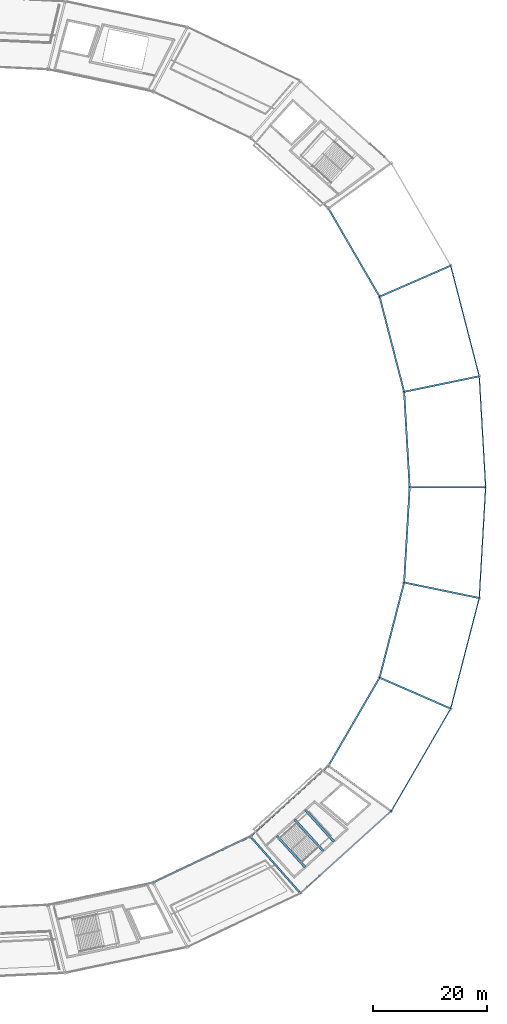
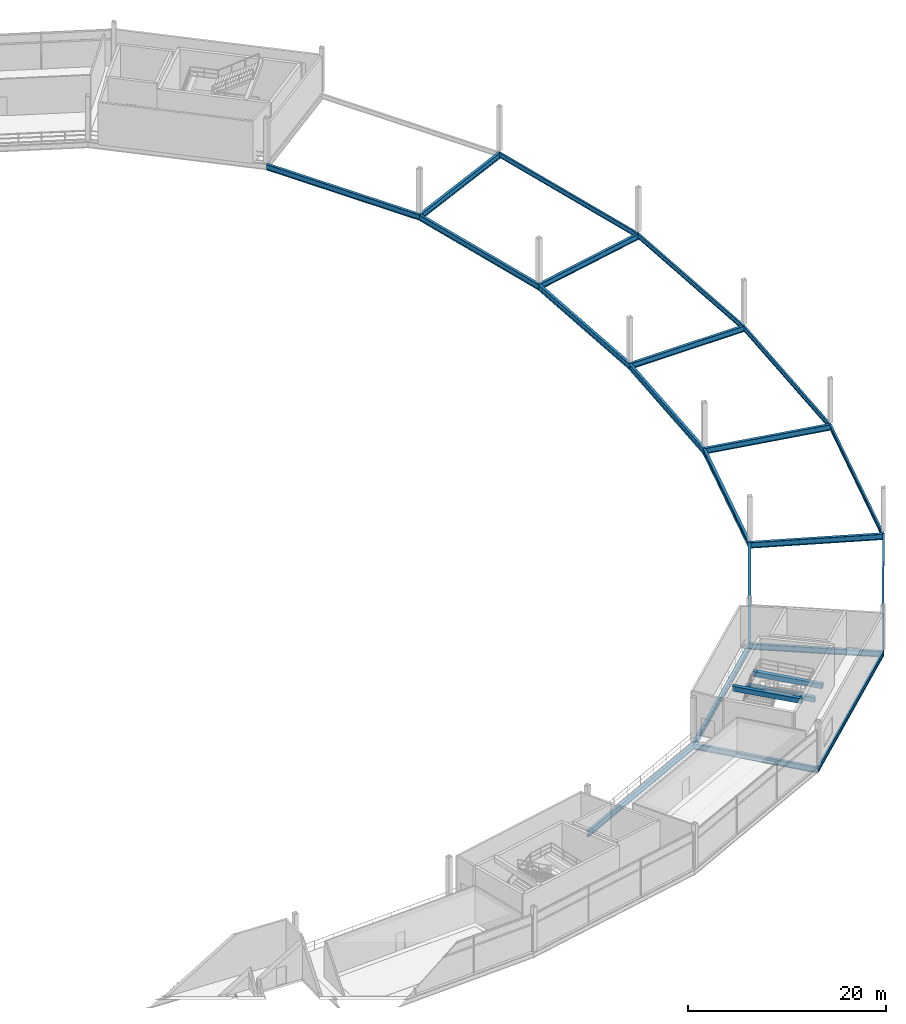
# One storey, part 47 of 103: 24 beams.
"""IFC4 building model written with IfcOpenShell, lengths in metres."""

from ifc_helpers import new_model, si_unit, direction, frame, origin, origin_2d, place, context, subcontext, project, spatial, rectangle, i_section, extrude, material, material_profile, profile_set, type_object, element, save


model = new_model("IFC4")

# Units and contexts
model_context = context("Model", 3, precision=1e-05, world=origin(), true_north=direction((0.0, 1.0)))
body_context = subcontext(model_context, "Body", "Model", "MODEL_VIEW")
ifc_project = project(units=[si_unit("LENGTHUNIT", "METRE"), si_unit("AREAUNIT", "SQUARE_METRE"), si_unit("VOLUMEUNIT", "CUBIC_METRE"), si_unit("PLANEANGLEUNIT", "RADIAN"), si_unit("MASSUNIT", "GRAM", prefix="KILO")], contexts=[model_context])

# Site, building, storey
site_placement = place(None, origin())
site = spatial("IfcSite", under=ifc_project, at=site_placement, CompositionType="ELEMENT")
building_placement = place(site_placement, origin())
building = spatial("IfcBuilding", under=site, at=building_placement, Name="Kazemori Nagisa Stadium", CompositionType="ELEMENT")
storey_placement = place(building_placement, frame((0.0, 0.0, 25.840087890625)))
storey = spatial("IfcBuildingStorey", under=building, at=storey_placement, Name="L05", CompositionType="ELEMENT", Elevation=25.840087890625)

# Beams
ifc_material_1 = material(Name="Steel SN490B", Category="steel")
ifc_material_profile_1 = material_profile(ifc_material_1, i_section(OverallWidth=0.300048828125, OverallDepth=0.699951171875, WebThickness=0.012939453125, FlangeThickness=0.02392578125, FilletRadius=0.01806640625, at=origin_2d()), Name="H-700x300x13x24")
ifc_profile_set_1 = profile_set([ifc_material_profile_1], Name="Steel SN490B")
beam_type_1 = type_object("IfcBeamType", Name="Beam_BG-H700", PredefinedType="BEAM", material=ifc_profile_set_1)
beam_1_placement = place(storey_placement, frame((204.699951171875, 102.0, -0.610107421875), z_axis=(-0.057594854854, 0.998340038611, 0.0), x_axis=(-0.998340038611, -0.057594854854, 0.0)))
element("IfcBeam", 1, at=beam_1_placement, inside=storey, type_object=beam_type_1, Name="Ring girder BG-H700 L05 R2-01", PredefinedType="BEAM", context=body_context, shape_type="SweptSolid", body=[
    extrude(i_section(OverallWidth=0.300048828125, OverallDepth=0.699951171875, WebThickness=0.012939453125, FlangeThickness=0.02392578125, FilletRadius=0.01806640625, at=origin_2d()), origin(), (0.0, 0.0, 1.0), 16.7099609375),
])
beam_2_placement = place(storey_placement, frame((203.737548828125, 118.68212890625, -0.610107421875), z_axis=(-0.249974673676, 0.968252375427, 0.0), x_axis=(-0.968252375427, -0.249974673676, 0.0)))
element("IfcBeam", 2, at=beam_2_placement, inside=storey, type_object=beam_type_1, Name="Ring girder BG-H700 L05 R2-02", PredefinedType="BEAM", context=body_context, shape_type="SweptSolid", body=[
    extrude(i_section(OverallWidth=0.300048828125, OverallDepth=0.699951171875, WebThickness=0.012939453125, FlangeThickness=0.02392578125, FilletRadius=0.01806640625, at=origin_2d()), origin(), (0.0, 0.0, 1.0), 17.188232421875),
])
beam_3_placement = place(storey_placement, frame((199.44091796875, 135.32470703125, -0.610107421875), z_axis=(-0.501606704589, 0.865095783085, 0.0), x_axis=(-0.865095783085, -0.501606704589, 0.0)))
element("IfcBeam", 3, at=beam_3_placement, inside=storey, type_object=beam_type_1, Name="Ring girder BG-H700 L05 R2-03", PredefinedType="BEAM", context=body_context, shape_type="SweptSolid", body=[
    extrude(i_section(OverallWidth=0.300048828125, OverallDepth=0.699951171875, WebThickness=0.012939453125, FlangeThickness=0.02392578125, FilletRadius=0.01806640625, at=origin_2d()), origin(), (0.0, 0.0, 1.0), 17.8125),
])
beam_4_placement = place(storey_placement, frame((159.81201171875, 32.80078125, -0.610107421875), z_axis=(0.90321938295, 0.42917915404, 0.0), x_axis=(-0.42917915404, 0.90321938295, 0.0)))
element("IfcBeam", 4, at=beam_4_placement, inside=storey, type_object=beam_type_1, Name="Ring girder BG-H700 L05 R2-24", PredefinedType="BEAM", context=body_context, shape_type="SweptSolid", body=[
    extrude(i_section(OverallWidth=0.300048828125, OverallDepth=0.699951171875, WebThickness=0.012939453125, FlangeThickness=0.02392578125, FilletRadius=0.01806640625, at=origin_2d()), origin(), (0.0, 0.0, 1.0), 18.84619140625),
])
beam_5_placement = place(storey_placement, frame((176.834228515625, 40.88916015625, -0.610107421875), z_axis=(0.741349142139, 0.671119549298, 0.0), x_axis=(-0.671119549298, 0.741349142139, 0.0)))
element("IfcBeam", 5, at=beam_5_placement, inside=storey, type_object=beam_type_1, Name="Ring girder BG-H700 L05 R2-25", PredefinedType="BEAM", context=body_context, shape_type="SweptSolid", body=[
    extrude(i_section(OverallWidth=0.300048828125, OverallDepth=0.699951171875, WebThickness=0.012939453125, FlangeThickness=0.02392578125, FilletRadius=0.01806640625, at=origin_2d()), origin(), (0.0, 0.0, 1.0), 18.44189453125),
])
beam_6_placement = place(storey_placement, frame((190.506103515625, 53.265869140625, -0.610107421875), z_axis=(0.501606704589, 0.865095783085, 0.0), x_axis=(-0.865095783085, 0.501606704589, 0.0)))
element("IfcBeam", 6, at=beam_6_placement, inside=storey, type_object=beam_type_1, Name="Ring girder BG-H700 L05 R2-26", PredefinedType="BEAM", context=body_context, shape_type="SweptSolid", body=[
    extrude(i_section(OverallWidth=0.300048828125, OverallDepth=0.699951171875, WebThickness=0.012939453125, FlangeThickness=0.02392578125, FilletRadius=0.01806640625, at=origin_2d()), origin(), (0.0, 0.0, 1.0), 17.8125),
])
beam_7_placement = place(storey_placement, frame((199.44091796875, 68.67529296875, -0.610107421875), z_axis=(0.249974673676, 0.968252375427, 0.0), x_axis=(-0.968252375427, 0.249974673676, 0.0)))
element("IfcBeam", 7, at=beam_7_placement, inside=storey, type_object=beam_type_1, Name="Ring girder BG-H700 L05 R2-27", PredefinedType="BEAM", context=body_context, shape_type="SweptSolid", body=[
    extrude(i_section(OverallWidth=0.300048828125, OverallDepth=0.699951171875, WebThickness=0.012939453125, FlangeThickness=0.02392578125, FilletRadius=0.01806640625, at=origin_2d()), origin(), (0.0, 0.0, 1.0), 17.188232421875),
])
beam_8_placement = place(storey_placement, frame((203.737548828125, 85.31787109375, -0.610107421875), z_axis=(0.057594854854, 0.998340038611, 0.0), x_axis=(-0.998340038611, 0.057594854854, 0.0)))
element("IfcBeam", 8, at=beam_8_placement, inside=storey, type_object=beam_type_1, Name="Ring girder BG-H700 L05 R2-28", PredefinedType="BEAM", context=body_context, shape_type="SweptSolid", body=[
    extrude(i_section(OverallWidth=0.300048828125, OverallDepth=0.699951171875, WebThickness=0.012939453125, FlangeThickness=0.02392578125, FilletRadius=0.01806640625, at=origin_2d()), origin(), (0.0, 0.0, 1.0), 16.7099609375),
])
beam_9_placement = place(storey_placement, frame((204.699951171875, 102.0, -0.610107421875), z_axis=(1.0, 0.0, 0.0), x_axis=(0.0, 1.0, 0.0)))
element("IfcBeam", 9, at=beam_9_placement, inside=storey, type_object=beam_type_1, Name="Radial girder BG-H700 L05 R2-R3-01", PredefinedType="BEAM", context=body_context, shape_type="SweptSolid", body=[
    extrude(i_section(OverallWidth=0.300048828125, OverallDepth=0.699951171875, WebThickness=0.012939453125, FlangeThickness=0.02392578125, FilletRadius=0.01806640625, at=origin_2d()), origin(), (0.0, 0.0, 1.0), 13.300048828125),
])
beam_10_placement = place(storey_placement, frame((203.737548828125, 118.68212890625, -0.610107421875), z_axis=(0.979315516463, 0.202339119339, 0.0), x_axis=(-0.202339119339, 0.979315516463, 0.0)))
element("IfcBeam", 10, at=beam_10_placement, inside=storey, type_object=beam_type_1, Name="Radial girder BG-H700 L05 R2-R3-02", PredefinedType="BEAM", context=body_context, shape_type="SweptSolid", body=[
    extrude(i_section(OverallWidth=0.300048828125, OverallDepth=0.699951171875, WebThickness=0.012939453125, FlangeThickness=0.02392578125, FilletRadius=0.01806640625, at=origin_2d()), origin(), (0.0, 0.0, 1.0), 13.4208984375),
])
beam_11_placement = place(storey_placement, frame((199.44091796875, 135.32470703125, -0.610107421875), z_axis=(0.916683633521, 0.399613708517, 0.0), x_axis=(-0.399613708517, 0.916683633521, 0.0)))
element("IfcBeam", 11, at=beam_11_placement, inside=storey, type_object=beam_type_1, Name="Radial girder BG-H700 L05 R2-R3-03", PredefinedType="BEAM", context=body_context, shape_type="SweptSolid", body=[
    extrude(i_section(OverallWidth=0.300048828125, OverallDepth=0.699951171875, WebThickness=0.012939453125, FlangeThickness=0.02392578125, FilletRadius=0.01806640625, at=origin_2d()), origin(), (0.0, 0.0, 1.0), 13.5751953125),
])
beam_12_placement = place(storey_placement, frame((176.834228515625, 40.88916015625, -0.610107421875), z_axis=(0.661019680997, -0.750368563664, 0.0), x_axis=(0.750368563664, 0.661019680997, 0.0)))
element("IfcBeam", 12, at=beam_12_placement, inside=storey, type_object=beam_type_1, Name="Radial girder BG-H700 L05 R2-R3-25", PredefinedType="BEAM", context=body_context, shape_type="SweptSolid", body=[
    extrude(i_section(OverallWidth=0.300048828125, OverallDepth=0.699951171875, WebThickness=0.012939453125, FlangeThickness=0.02392578125, FilletRadius=0.01806640625, at=origin_2d()), origin(), (0.0, 0.0, 1.0), 13.2578125),
])
beam_13_placement = place(storey_placement, frame((190.506103515625, 53.265869140625, -0.610107421875), z_axis=(0.810787509935, -0.585340596349, 0.0), x_axis=(0.585340596349, 0.810787509935, 0.0)))
element("IfcBeam", 13, at=beam_13_placement, inside=storey, type_object=beam_type_1, Name="Radial girder BG-H700 L05 R2-R3-26", PredefinedType="BEAM", context=body_context, shape_type="SweptSolid", body=[
    extrude(i_section(OverallWidth=0.300048828125, OverallDepth=0.699951171875, WebThickness=0.012939453125, FlangeThickness=0.02392578125, FilletRadius=0.01806640625, at=origin_2d()), origin(), (0.0, 0.0, 1.0), 13.5537109375),
])
beam_14_placement = place(storey_placement, frame((199.44091796875, 68.67529296875, -0.610107421875), z_axis=(0.916683633521, -0.399613708517, 0.0), x_axis=(0.399613708517, 0.916683633521, 0.0)))
element("IfcBeam", 14, at=beam_14_placement, inside=storey, type_object=beam_type_1, Name="Radial girder BG-H700 L05 R2-R3-27", PredefinedType="BEAM", context=body_context, shape_type="SweptSolid", body=[
    extrude(i_section(OverallWidth=0.300048828125, OverallDepth=0.699951171875, WebThickness=0.012939453125, FlangeThickness=0.02392578125, FilletRadius=0.01806640625, at=origin_2d()), origin(), (0.0, 0.0, 1.0), 13.5751953125),
])
beam_15_placement = place(storey_placement, frame((203.737548828125, 85.31787109375, -0.610107421875), z_axis=(0.979315516463, -0.202339119339, 0.0), x_axis=(0.202339119339, 0.979315516463, 0.0)))
element("IfcBeam", 15, at=beam_15_placement, inside=storey, type_object=beam_type_1, Name="Radial girder BG-H700 L05 R2-R3-28", PredefinedType="BEAM", context=body_context, shape_type="SweptSolid", body=[
    extrude(i_section(OverallWidth=0.300048828125, OverallDepth=0.699951171875, WebThickness=0.012939453125, FlangeThickness=0.02392578125, FilletRadius=0.01806640625, at=origin_2d()), origin(), (0.0, 0.0, 1.0), 13.4208984375),
])
ifc_material_2 = material(Name="Concrete C40/50 (Fc42)", Category="concrete")
ifc_material_profile_2 = material_profile(ifc_material_2, rectangle(XDim=0.39990234375, YDim=0.60009765625, at=origin_2d()), Name="RC-BM-400x600")
ifc_profile_set_2 = profile_set([ifc_material_profile_2], Name="Concrete C40/50 (Fc42)")
beam_type_2 = type_object("IfcBeamType", Name="Beam_BG-LND400X600", PredefinedType="BEAM", material=ifc_profile_set_2)
beam_16_placement = place(storey_placement, frame((184.60400390625, 43.835693359375, 2.219970703125), z_axis=(0.671095068472, -0.741371303108, 0.0), x_axis=(0.741371303108, 0.671095068472, 0.0)))
element("IfcBeam", 16, at=beam_16_placement, inside=storey, type_object=beam_type_2, Name="Core stair mid-landing girder ST04-L05-1", PredefinedType="BEAM", context=body_context, shape_type="SweptSolid", body=[
    extrude(rectangle(XDim=0.39990234375, YDim=0.60009765625, at=origin_2d()), origin(), (0.0, 0.0, 1.0), 7.3857421875),
])
for number, where, z_axis, x_axis, name in (
    (17, (186.457275390625, 45.513427734375, 2.219970703125), (0.671113236271, -0.74135485707, 0.0), (0.74135485707, 0.671113236271, 0.0), "Core stair mid-landing girder ST04-L05-2"),
    (18, (181.456787109375, 40.98681640625, 4.8798828125), (0.671113236271, -0.74135485707, 0.0), (0.74135485707, 0.671113236271, 0.0), "Core stair arrival header girder ST04-L05"),
):
    element("IfcBeam", number, at=place(storey_placement, frame(where, z_axis=z_axis, x_axis=x_axis)), inside=storey, type_object=beam_type_2, Name=name, PredefinedType="BEAM", context=body_context, shape_type="SweptSolid", body=[
        extrude(rectangle(XDim=0.39990234375, YDim=0.60009765625, at=origin_2d()), origin(), (0.0, 0.0, 1.0), 7.385986328125),
    ])
ifc_material_profile_3 = material_profile(ifc_material_1, i_section(OverallWidth=0.199951171875, OverallDepth=0.60009765625, WebThickness=0.010986328125, FlangeThickness=0.01708984375, FilletRadius=0.012939453125, at=origin_2d()), Name="H-600x200x11x17")
ifc_profile_set_3 = profile_set([ifc_material_profile_3], Name="Steel SN490B")
beam_type_3 = type_object("IfcBeamType", Name="Beam_BS-H600", PredefinedType="SPANDREL", material=ifc_profile_set_3)
beam_17_placement = place(storey_placement, frame((218.0, 102.0, -0.56005859375), z_axis=(-0.057598702622, 0.998339816624, 0.0), x_axis=(-0.998339816624, -0.057598702622, 0.0)))
element("IfcBeam", 19, at=beam_17_placement, inside=storey, type_object=beam_type_3, Name="Ring girder BS-H600 L05 R3-01", PredefinedType="SPANDREL", context=body_context, shape_type="SweptSolid", body=[
    extrude(i_section(OverallWidth=0.199951171875, OverallDepth=0.60009765625, WebThickness=0.010986328125, FlangeThickness=0.01708984375, FilletRadius=0.012939453125, at=origin_2d()), origin(), (0.0, 0.0, 1.0), 19.429931640625),
])
beam_18_placement = place(storey_placement, frame((216.880859375, 121.397705078125, -0.56005859375), z_axis=(-0.249964097999, 0.968255105699, 0.0), x_axis=(-0.968255105699, -0.249964097999, 0.0)))
element("IfcBeam", 20, at=beam_18_placement, inside=storey, type_object=beam_type_3, Name="Ring girder BS-H600 L05 R3-02", PredefinedType="SPANDREL", context=body_context, shape_type="SweptSolid", body=[
    extrude(i_section(OverallWidth=0.199951171875, OverallDepth=0.60009765625, WebThickness=0.010986328125, FlangeThickness=0.01708984375, FilletRadius=0.012939453125, at=origin_2d()), origin(), (0.0, 0.0, 1.0), 19.986328125),
])
beam_19_placement = place(storey_placement, frame((185.597900390625, 30.94091796875, -0.56005859375), z_axis=(0.741351531326, 0.671116910084, 0.0), x_axis=(-0.671116910084, 0.741351531326, 0.0)))
element("IfcBeam", 21, at=beam_19_placement, inside=storey, type_object=beam_type_3, Name="Ring girder BS-H600 L05 R3-25", PredefinedType="SPANDREL", context=body_context, shape_type="SweptSolid", body=[
    extrude(i_section(OverallWidth=0.199951171875, OverallDepth=0.60009765625, WebThickness=0.010986328125, FlangeThickness=0.01708984375, FilletRadius=0.012939453125, at=origin_2d()), origin(), (0.0, 0.0, 1.0), 21.44384765625),
])
beam_20_placement = place(storey_placement, frame((201.495361328125, 45.332275390625, -0.56005859375), z_axis=(0.50161277459, 0.8650922635, 0.0), x_axis=(-0.8650922635, 0.50161277459, 0.0)))
element("IfcBeam", 22, at=beam_20_placement, inside=storey, type_object=beam_type_3, Name="Ring girder BS-H600 L05 R3-26", PredefinedType="SPANDREL", context=body_context, shape_type="SweptSolid", body=[
    extrude(i_section(OverallWidth=0.199951171875, OverallDepth=0.60009765625, WebThickness=0.010986328125, FlangeThickness=0.01708984375, FilletRadius=0.012939453125, at=origin_2d()), origin(), (0.0, 0.0, 1.0), 20.71240234375),
])
beam_21_placement = place(storey_placement, frame((211.885009765625, 63.25048828125, -0.56005859375), z_axis=(0.249964097999, 0.968255105699, 0.0), x_axis=(-0.968255105699, 0.249964097999, 0.0)))
element("IfcBeam", 23, at=beam_21_placement, inside=storey, type_object=beam_type_3, Name="Ring girder BS-H600 L05 R3-27", PredefinedType="SPANDREL", context=body_context, shape_type="SweptSolid", body=[
    extrude(i_section(OverallWidth=0.199951171875, OverallDepth=0.60009765625, WebThickness=0.010986328125, FlangeThickness=0.01708984375, FilletRadius=0.012939453125, at=origin_2d()), origin(), (0.0, 0.0, 1.0), 19.986328125),
])
beam_22_placement = place(storey_placement, frame((216.880859375, 82.602294921875, -0.56005859375), z_axis=(0.057598702622, 0.998339816624, 0.0), x_axis=(-0.998339816624, 0.057598702622, 0.0)))
element("IfcBeam", 24, at=beam_22_placement, inside=storey, type_object=beam_type_3, Name="Ring girder BS-H600 L05 R3-28", PredefinedType="SPANDREL", context=body_context, shape_type="SweptSolid", body=[
    extrude(i_section(OverallWidth=0.199951171875, OverallDepth=0.60009765625, WebThickness=0.010986328125, FlangeThickness=0.01708984375, FilletRadius=0.012939453125, at=origin_2d()), origin(), (0.0, 0.0, 1.0), 19.429931640625),
])

save(model, "model.ifc")
